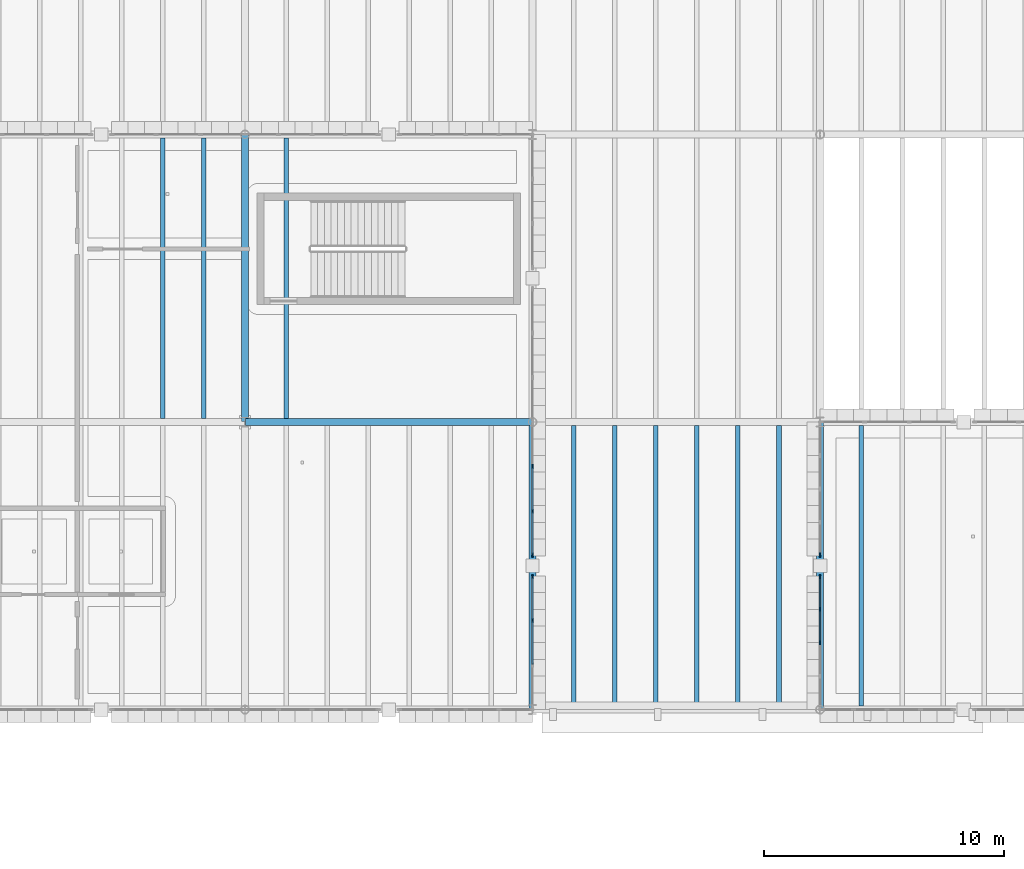
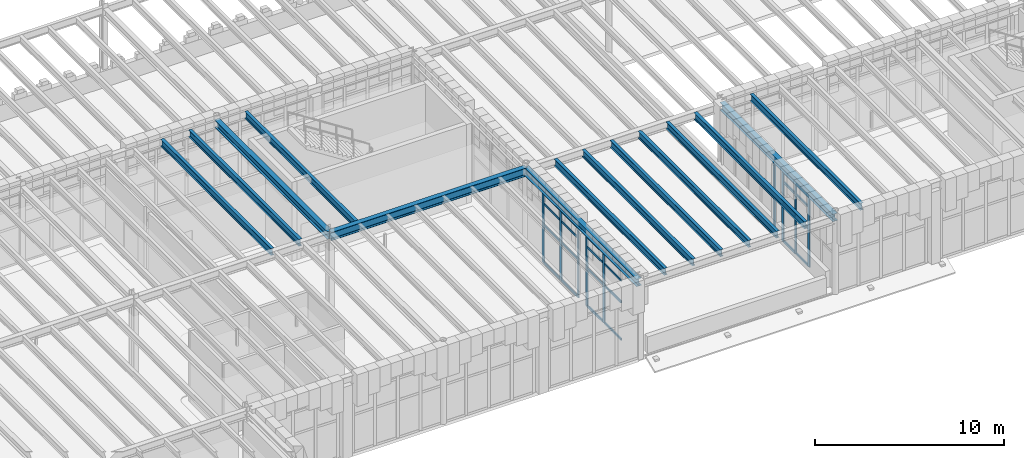
# One storey, part 22 of 100: 33 members, 14 beams, 4 elements without a shape of their own.
"""IFC4 building model written with IfcOpenShell, lengths in metres."""

from ifc_helpers import new_model, si_unit, direction, frame, origin, origin_2d, place, context, subcontext, project, spatial, rectangle, i_section, extrude, material, layer, layer_set, material_profile, profile_set, type_object, element, aggregate, save


model = new_model("IFC4")

# Units and contexts
model_context = context("Model", 3, precision=1e-05, world=origin(), true_north=direction((0.0, 1.0)))
body_context = subcontext(model_context, "Body", "Model", "MODEL_VIEW")
ifc_project = project(units=[si_unit("LENGTHUNIT", "METRE"), si_unit("AREAUNIT", "SQUARE_METRE"), si_unit("VOLUMEUNIT", "CUBIC_METRE"), si_unit("PLANEANGLEUNIT", "RADIAN"), si_unit("MASSUNIT", "GRAM", prefix="KILO")], contexts=[model_context])

# Site, building, storey
site_placement = place(None, origin())
site = spatial("IfcSite", under=ifc_project, at=site_placement, CompositionType="ELEMENT")
building_placement = place(site_placement, origin())
building = spatial("IfcBuilding", under=site, at=building_placement, Name="Zlatogorsky Bluff Art Gallery", CompositionType="ELEMENT")
storey_placement = place(building_placement, frame((0.0, 0.0, 5.39990234375)))
storey = spatial("IfcBuildingStorey", under=building, at=storey_placement, Name="L01", CompositionType="ELEMENT", Elevation=5.39990234375)

# Beams
ifc_material_1 = material(Name="Steel S355", Category="steel")
ifc_material_profile_1 = material_profile(ifc_material_1, i_section(OverallWidth=0.300048828125, OverallDepth=0.5400390625, WebThickness=0.012451171875, FlangeThickness=0.02392578125, FilletRadius=0.027099609375, at=origin_2d()), Name="HEA 550")
ifc_profile_set_1 = profile_set([ifc_material_profile_1], Name="Steel S355")
beam_type_1 = type_object("IfcBeamType", Name="Beam BM-06 HEA 550", PredefinedType="BEAM", material=ifc_profile_set_1)
beam_placement = place(storey_placement, frame((36.014892578125, 96.0, 4.840087890625), z_axis=(1.0, 0.0, 0.0), x_axis=(0.0, 1.0, 0.0)))
element("IfcBeam", 1, at=beam_placement, inside=storey, type_object=beam_type_1, Name="Primary girder BM-06 L01 D-E/10", PredefinedType="BEAM", context=body_context, shape_type="SweptSolid", body=[
    extrude(i_section(OverallWidth=0.300048828125, OverallDepth=0.5400390625, WebThickness=0.012451171875, FlangeThickness=0.02392578125, FilletRadius=0.027099609375, at=origin_2d()), origin(), (0.0, 0.0, 1.0), 11.97021484375),
])
ifc_material_profile_2 = material_profile(ifc_material_1, i_section(OverallWidth=0.300048828125, OverallDepth=0.489990234375, WebThickness=0.011962890625, FlangeThickness=0.02294921875, FilletRadius=0.027099609375, at=origin_2d()), Name="HEA 500")
ifc_profile_set_2 = profile_set([ifc_material_profile_2], Name="Steel S355")
beam_type_2 = type_object("IfcBeamType", Name="Beam BM-07 HEA 500", PredefinedType="BEAM", material=ifc_profile_set_2)
for number, where, z_axis, x_axis, name in (
    (2, (36.0, 96.014892578125, 4.864990234375), (0.0, 1.0, 0.0), (-1.0, 0.0, 0.0), "Primary girder BM-07 L01 D/10-11"),
    (3, (48.0, 84.014892578125, 4.864990234375), (0.0, 1.0, 0.0), (-1.0, 0.0, 0.0), "Primary girder BM-07 L01 E/9-10"),
    (4, (60.0, 84.014892578125, 4.864990234375), (0.0, 1.0, 0.0), (-1.0, 0.0, 0.0), "Primary girder BM-07 L01 F/9-10"),
):
    element("IfcBeam", number, at=place(storey_placement, frame(where, z_axis=z_axis, x_axis=x_axis)), inside=storey, type_object=beam_type_2, Name=name, PredefinedType="BEAM", context=body_context, shape_type="SweptSolid", body=[
        extrude(i_section(OverallWidth=0.300048828125, OverallDepth=0.489990234375, WebThickness=0.011962890625, FlangeThickness=0.02294921875, FilletRadius=0.027099609375, at=origin_2d()), origin(), (0.0, 0.0, 1.0), 11.97021484375),
    ])
ifc_material_profile_3 = material_profile(ifc_material_1, i_section(OverallWidth=0.18994140625, OverallDepth=0.449951171875, WebThickness=0.009521484375, FlangeThickness=0.0146484375, FilletRadius=0.02099609375, at=origin_2d()), Name="IPE 450")
ifc_profile_set_3 = profile_set([ifc_material_profile_3], Name="Steel S355")
beam_type_3 = type_object("IfcBeamType", Name="Beam JS-06 IPE 450", PredefinedType="JOIST", material=ifc_profile_set_3)
for number, where, z_axis, x_axis, name in (
    (5, (32.571533203125, 96.14990234375, 4.885009765625), (0.0, 1.0, 0.0), (-1.0, 0.0, 0.0), "Composite floor joist JS-06 L01 02.09.5"),
    (6, (34.28564453125, 96.14990234375, 4.885009765625), (0.0, 1.0, 0.0), (-1.0, 0.0, 0.0), "Composite floor joist JS-06 L01 02.09.6"),
    (7, (37.71435546875, 96.14990234375, 4.885009765625), (0.0, 1.0, 0.0), (-1.0, 0.0, 0.0), "Composite floor joist JS-06 L01 03.09.1"),
    (8, (49.71435546875, 84.14990234375, 4.885009765625), (0.0, 1.0, 0.0), (-1.0, 0.0, 0.0), "Composite floor joist JS-06 L01 04.08.1"),
    (9, (51.428466796875, 84.14990234375, 4.885009765625), (0.0, 1.0, 0.0), (-1.0, 0.0, 0.0), "Composite floor joist JS-06 L01 04.08.2"),
    (10, (53.142822265625, 84.14990234375, 4.885009765625), (0.0, 1.0, 0.0), (-1.0, 0.0, 0.0), "Composite floor joist JS-06 L01 04.08.3"),
    (11, (54.857177734375, 84.14990234375, 4.885009765625), (0.0, 1.0, 0.0), (-1.0, 0.0, 0.0), "Composite floor joist JS-06 L01 04.08.4"),
    (12, (56.571533203125, 84.14990234375, 4.885009765625), (0.0, 1.0, 0.0), (-1.0, 0.0, 0.0), "Composite floor joist JS-06 L01 04.08.5"),
    (13, (58.28564453125, 84.14990234375, 4.885009765625), (0.0, 1.0, 0.0), (-1.0, 0.0, 0.0), "Composite floor joist JS-06 L01 04.08.6"),
    (14, (61.71435546875, 84.14990234375, 4.885009765625), (0.0, 1.0, 0.0), (-1.0, 0.0, 0.0), "Composite floor joist JS-06 L01 05.08.1"),
):
    element("IfcBeam", number, at=place(storey_placement, frame(where, z_axis=z_axis, x_axis=x_axis)), inside=storey, type_object=beam_type_3, Name=name, PredefinedType="JOIST", context=body_context, shape_type="SweptSolid", body=[
        extrude(i_section(OverallWidth=0.18994140625, OverallDepth=0.449951171875, WebThickness=0.009521484375, FlangeThickness=0.0146484375, FilletRadius=0.02099609375, at=origin_2d()), origin(), (0.0, 0.0, 1.0), 11.7001953125),
    ])

# Curtain wall, members
ifc_material_2 = material(Name="Anodised Bronze Aluminium and Low-Iron Triple Glazing", Category="aluminium")
ifc_layer_1 = layer(ifc_material_2, 0.219970703125)
ifc_layer_set_1 = layer_set([ifc_layer_1], Name="Curtain Wall CW-04")
curtain_wall_type_1 = type_object("IfcCurtainWallType", Name="Curtain Wall CW-04", PredefinedType="USERDEFINED", material=ifc_layer_set_1)
curtain_wall_1_placement = place(storey_placement, origin())
curtain_wall_1 = element("IfcCurtainWall", 15, at=curtain_wall_1_placement, inside=storey, type_object=curtain_wall_type_1, Name="Unitised curtain wall CW-04 L01 E 3.8-A", ObjectType="CURTAIN WALL", PredefinedType="USERDEFINED")
ifc_material_3 = material(Name="Anodised Bronze Aluminium", Category="aluminium")
ifc_material_profile_4 = material_profile(ifc_material_3, rectangle(XDim=0.06494140625, YDim=0.179931640625, at=origin_2d()), Name="ALU MULLION 65x180")
ifc_profile_set_4 = profile_set([ifc_material_profile_4], Name="Anodised Bronze Aluminium")
member_type_1 = type_object("IfcMemberType", Name="Curtain Mullion ML-01", PredefinedType="MULLION", material=ifc_profile_set_4)
member_1_placement = place(storey_placement, frame((48.0, 87.719970703125, 0.0), z_axis=(0.0, 0.0, 1.0), x_axis=(-1.0, 0.0, 0.0)))
member_1 = element("IfcMember", 16, at=member_1_placement, type_object=member_type_1, Name="CW-04 mullion 3", PredefinedType="MULLION", context=body_context, shape_type="SweptSolid", body=[
    extrude(rectangle(XDim=0.06494140625, YDim=0.179931640625, at=origin_2d()), origin(), (0.0, 0.0, 1.0), 4.530029296875),
])
member_2_placement = place(storey_placement, frame((48.0, 89.547607421875, 0.0), z_axis=(0.0, 0.0, 1.0), x_axis=(-1.0, 0.0, 0.0)))
member_2 = element("IfcMember", 17, at=member_2_placement, type_object=member_type_1, Name="CW-04 mullion 4", PredefinedType="MULLION", context=body_context, shape_type="SweptSolid", body=[
    extrude(rectangle(XDim=0.06494140625, YDim=0.179931640625, at=origin_2d()), origin(), (0.0, 0.0, 1.0), 4.530029296875),
])

curtain_wall_2_placement = place(storey_placement, origin())
curtain_wall_2 = element("IfcCurtainWall", 18, at=curtain_wall_2_placement, inside=storey, type_object=curtain_wall_type_1, Name="Unitised curtain wall CW-04 L01 E 3.8-B", ObjectType="CURTAIN WALL", PredefinedType="USERDEFINED")
member_3_placement = place(storey_placement, frame((48.0, 90.452392578125, 0.0), z_axis=(0.0, 0.0, 1.0), x_axis=(-1.0, 0.0, 0.0)))
member_3 = element("IfcMember", 19, at=member_3_placement, type_object=member_type_1, Name="CW-04 mullion 1", PredefinedType="MULLION", context=body_context, shape_type="SweptSolid", body=[
    extrude(rectangle(XDim=0.06494140625, YDim=0.179931640625, at=origin_2d()), origin(), (0.0, 0.0, 1.0), 4.530029296875),
])
member_4_placement = place(storey_placement, frame((48.0, 92.280029296875, 0.0), z_axis=(0.0, 0.0, 1.0), x_axis=(-1.0, 0.0, 0.0)))
member_4 = element("IfcMember", 20, at=member_4_placement, type_object=member_type_1, Name="CW-04 mullion 2", PredefinedType="MULLION", context=body_context, shape_type="SweptSolid", body=[
    extrude(rectangle(XDim=0.06494140625, YDim=0.179931640625, at=origin_2d()), origin(), (0.0, 0.0, 1.0), 4.530029296875),
])
member_5_placement = place(storey_placement, frame((48.0, 94.139892578125, 0.0), z_axis=(0.0, 0.0, 1.0), x_axis=(-1.0, 0.0, 0.0)))
member_5 = element("IfcMember", 21, at=member_5_placement, type_object=member_type_1, Name="CW-04 mullion 3", PredefinedType="MULLION", context=body_context, shape_type="SweptSolid", body=[
    extrude(rectangle(XDim=0.06494140625, YDim=0.179931640625, at=origin_2d()), origin(), (0.0, 0.0, 1.0), 4.530029296875),
])

# Curtain wall, member
ifc_layer_2 = layer(ifc_material_2, 0.199951171875)
ifc_layer_set_2 = layer_set([ifc_layer_2], Name="Curtain Wall CW-02")
curtain_wall_type_2 = type_object("IfcCurtainWallType", Name="Curtain Wall CW-02", PredefinedType="USERDEFINED", material=ifc_layer_set_2)
curtain_wall_3_placement = place(storey_placement, origin())
curtain_wall_3 = element("IfcCurtainWall", 22, at=curtain_wall_3_placement, inside=storey, type_object=curtain_wall_type_2, Name="Unitised curtain wall CW-02 L01 W 5.8-A", ObjectType="CURTAIN WALL", PredefinedType="USERDEFINED")
member_6_placement = place(storey_placement, frame((60.0, 90.452392578125, 0.0), z_axis=(0.0, 0.0, 1.0), x_axis=(1.0, 0.0, 0.0)))
member_6 = element("IfcMember", 23, at=member_6_placement, type_object=member_type_1, Name="CW-02 mullion 5", PredefinedType="MULLION", context=body_context, shape_type="SweptSolid", body=[
    extrude(rectangle(XDim=0.06494140625, YDim=0.179931640625, at=origin_2d()), origin(), (0.0, 0.0, 1.0), 4.530029296875),
])
aggregate(curtain_wall_3, [member_6])

# Curtain wall, members
curtain_wall_4_placement = place(storey_placement, origin())
curtain_wall_4 = element("IfcCurtainWall", 24, at=curtain_wall_4_placement, inside=storey, type_object=curtain_wall_type_2, Name="Unitised curtain wall CW-02 L01 W 5.8-B", ObjectType="CURTAIN WALL", PredefinedType="USERDEFINED")
member_7_placement = place(storey_placement, frame((60.0, 89.547607421875, 0.0), z_axis=(0.0, 0.0, 1.0), x_axis=(1.0, 0.0, 0.0)))
member_7 = element("IfcMember", 25, at=member_7_placement, type_object=member_type_1, Name="CW-02 mullion 1", PredefinedType="MULLION", context=body_context, shape_type="SweptSolid", body=[
    extrude(rectangle(XDim=0.06494140625, YDim=0.179931640625, at=origin_2d()), origin(), (0.0, 0.0, 1.0), 4.530029296875),
])
member_8_placement = place(storey_placement, frame((60.0, 88.18505859375, 0.0), z_axis=(0.0, 0.0, 1.0), x_axis=(1.0, 0.0, 0.0)))
member_8 = element("IfcMember", 26, at=member_8_placement, type_object=member_type_1, Name="CW-02 mullion 2", PredefinedType="MULLION", context=body_context, shape_type="SweptSolid", body=[
    extrude(rectangle(XDim=0.06494140625, YDim=0.179931640625, at=origin_2d()), origin(), (0.0, 0.0, 1.0), 4.530029296875),
])
member_9_placement = place(storey_placement, frame((60.0, 86.7900390625, 0.0), z_axis=(0.0, 0.0, 1.0), x_axis=(1.0, 0.0, 0.0)))
member_9 = element("IfcMember", 27, at=member_9_placement, type_object=member_type_1, Name="CW-02 mullion 3", PredefinedType="MULLION", context=body_context, shape_type="SweptSolid", body=[
    extrude(rectangle(XDim=0.06494140625, YDim=0.179931640625, at=origin_2d()), origin(), (0.0, 0.0, 1.0), 4.530029296875),
])

# Member
ifc_material_profile_5 = material_profile(ifc_material_3, rectangle(XDim=0.06494140625, YDim=0.139892578125, at=origin_2d()), Name="ALU TRANSOM 65x140")
ifc_profile_set_5 = profile_set([ifc_material_profile_5], Name="Anodised Bronze Aluminium")
member_type_2 = type_object("IfcMemberType", Name="Curtain Transom TR-01", PredefinedType="USERDEFINED", material=ifc_profile_set_5)
member_10_placement = place(storey_placement, frame((48.0, 85.892578125, 0.03271484375), z_axis=(0.0, 1.0, 0.0), x_axis=(-1.0, 0.0, 0.0)))
member_10 = element("IfcMember", 28, at=member_10_placement, type_object=member_type_2, Name="CW-04 transom 2.1", ObjectType="TRANSOM", PredefinedType="USERDEFINED", context=body_context, shape_type="SweptSolid", body=[
    extrude(rectangle(XDim=0.06494140625, YDim=0.139892578125, at=origin_2d()), origin(), (0.0, 0.0, 1.0), 1.794921875),
])

member_11_placement = place(storey_placement, frame((48.0, 85.892578125, 2.4501953125), z_axis=(0.0, 1.0, 0.0), x_axis=(-1.0, 0.0, 0.0)))
member_11 = element("IfcMember", 29, at=member_11_placement, type_object=member_type_2, Name="CW-04 transom 2.2", ObjectType="TRANSOM", PredefinedType="USERDEFINED", context=body_context, shape_type="SweptSolid", body=[
    extrude(rectangle(XDim=0.06494140625, YDim=0.139892578125, at=origin_2d()), origin(), (0.0, 0.0, 1.0), 1.794921875),
])

member_12_placement = place(storey_placement, frame((48.0, 85.892578125, 3.85009765625), z_axis=(0.0, 1.0, 0.0), x_axis=(-1.0, 0.0, 0.0)))
member_12 = element("IfcMember", 30, at=member_12_placement, type_object=member_type_2, Name="CW-04 transom 2.3", ObjectType="TRANSOM", PredefinedType="USERDEFINED", context=body_context, shape_type="SweptSolid", body=[
    extrude(rectangle(XDim=0.06494140625, YDim=0.139892578125, at=origin_2d()), origin(), (0.0, 0.0, 1.0), 1.794921875),
])

member_13_placement = place(storey_placement, frame((48.0, 85.892578125, 4.49755859375), z_axis=(0.0, 1.0, 0.0), x_axis=(-1.0, 0.0, 0.0)))
member_13 = element("IfcMember", 31, at=member_13_placement, type_object=member_type_2, Name="CW-04 transom 2.4", ObjectType="TRANSOM", PredefinedType="USERDEFINED", context=body_context, shape_type="SweptSolid", body=[
    extrude(rectangle(XDim=0.06494140625, YDim=0.139892578125, at=origin_2d()), origin(), (0.0, 0.0, 1.0), 1.794921875),
])

member_14_placement = place(storey_placement, frame((48.0, 87.75244140625, 0.03271484375), z_axis=(0.0, 1.0, 0.0), x_axis=(-1.0, 0.0, 0.0)))
member_14 = element("IfcMember", 32, at=member_14_placement, type_object=member_type_2, Name="CW-04 transom 3.1", ObjectType="TRANSOM", PredefinedType="USERDEFINED", context=body_context, shape_type="SweptSolid", body=[
    extrude(rectangle(XDim=0.06494140625, YDim=0.139892578125, at=origin_2d()), origin(), (0.0, 0.0, 1.0), 1.762451171875),
])

member_15_placement = place(storey_placement, frame((48.0, 87.75244140625, 2.4501953125), z_axis=(0.0, 1.0, 0.0), x_axis=(-1.0, 0.0, 0.0)))
member_15 = element("IfcMember", 33, at=member_15_placement, type_object=member_type_2, Name="CW-04 transom 3.2", ObjectType="TRANSOM", PredefinedType="USERDEFINED", context=body_context, shape_type="SweptSolid", body=[
    extrude(rectangle(XDim=0.06494140625, YDim=0.139892578125, at=origin_2d()), origin(), (0.0, 0.0, 1.0), 1.762451171875),
])

member_16_placement = place(storey_placement, frame((48.0, 87.75244140625, 3.85009765625), z_axis=(0.0, 1.0, 0.0), x_axis=(-1.0, 0.0, 0.0)))
member_16 = element("IfcMember", 34, at=member_16_placement, type_object=member_type_2, Name="CW-04 transom 3.3", ObjectType="TRANSOM", PredefinedType="USERDEFINED", context=body_context, shape_type="SweptSolid", body=[
    extrude(rectangle(XDim=0.06494140625, YDim=0.139892578125, at=origin_2d()), origin(), (0.0, 0.0, 1.0), 1.762451171875),
])

member_17_placement = place(storey_placement, frame((48.0, 87.75244140625, 4.49755859375), z_axis=(0.0, 1.0, 0.0), x_axis=(-1.0, 0.0, 0.0)))
member_17 = element("IfcMember", 35, at=member_17_placement, type_object=member_type_2, Name="CW-04 transom 3.4", ObjectType="TRANSOM", PredefinedType="USERDEFINED", context=body_context, shape_type="SweptSolid", body=[
    extrude(rectangle(XDim=0.06494140625, YDim=0.139892578125, at=origin_2d()), origin(), (0.0, 0.0, 1.0), 1.762451171875),
])

aggregate(curtain_wall_1, [member_1, member_2, member_10, member_11, member_12, member_13, member_14, member_15, member_16, member_17])

member_18_placement = place(storey_placement, frame((48.0, 90.485107421875, 0.03271484375), z_axis=(0.0, 1.0, 0.0), x_axis=(-1.0, 0.0, 0.0)))
member_18 = element("IfcMember", 36, at=member_18_placement, type_object=member_type_2, Name="CW-04 transom 1.1", ObjectType="TRANSOM", PredefinedType="USERDEFINED", context=body_context, shape_type="SweptSolid", body=[
    extrude(rectangle(XDim=0.06494140625, YDim=0.139892578125, at=origin_2d()), origin(), (0.0, 0.0, 1.0), 1.762451171875),
])

member_19_placement = place(storey_placement, frame((48.0, 90.485107421875, 2.4501953125), z_axis=(0.0, 1.0, 0.0), x_axis=(-1.0, 0.0, 0.0)))
member_19 = element("IfcMember", 37, at=member_19_placement, type_object=member_type_2, Name="CW-04 transom 1.2", ObjectType="TRANSOM", PredefinedType="USERDEFINED", context=body_context, shape_type="SweptSolid", body=[
    extrude(rectangle(XDim=0.06494140625, YDim=0.139892578125, at=origin_2d()), origin(), (0.0, 0.0, 1.0), 1.762451171875),
])

member_20_placement = place(storey_placement, frame((48.0, 90.485107421875, 3.85009765625), z_axis=(0.0, 1.0, 0.0), x_axis=(-1.0, 0.0, 0.0)))
member_20 = element("IfcMember", 38, at=member_20_placement, type_object=member_type_2, Name="CW-04 transom 1.3", ObjectType="TRANSOM", PredefinedType="USERDEFINED", context=body_context, shape_type="SweptSolid", body=[
    extrude(rectangle(XDim=0.06494140625, YDim=0.139892578125, at=origin_2d()), origin(), (0.0, 0.0, 1.0), 1.762451171875),
])

member_21_placement = place(storey_placement, frame((48.0, 90.485107421875, 4.49755859375), z_axis=(0.0, 1.0, 0.0), x_axis=(-1.0, 0.0, 0.0)))
member_21 = element("IfcMember", 39, at=member_21_placement, type_object=member_type_2, Name="CW-04 transom 1.4", ObjectType="TRANSOM", PredefinedType="USERDEFINED", context=body_context, shape_type="SweptSolid", body=[
    extrude(rectangle(XDim=0.06494140625, YDim=0.139892578125, at=origin_2d()), origin(), (0.0, 0.0, 1.0), 1.762451171875),
])

member_22_placement = place(storey_placement, frame((48.0, 92.3125, 0.03271484375), z_axis=(0.0, 1.0, 0.0), x_axis=(-1.0, 0.0, 0.0)))
member_22 = element("IfcMember", 40, at=member_22_placement, type_object=member_type_2, Name="CW-04 transom 2.1", ObjectType="TRANSOM", PredefinedType="USERDEFINED", context=body_context, shape_type="SweptSolid", body=[
    extrude(rectangle(XDim=0.06494140625, YDim=0.139892578125, at=origin_2d()), origin(), (0.0, 0.0, 1.0), 1.794921875),
])

member_23_placement = place(storey_placement, frame((48.0, 92.3125, 2.4501953125), z_axis=(0.0, 1.0, 0.0), x_axis=(-1.0, 0.0, 0.0)))
member_23 = element("IfcMember", 41, at=member_23_placement, type_object=member_type_2, Name="CW-04 transom 2.2", ObjectType="TRANSOM", PredefinedType="USERDEFINED", context=body_context, shape_type="SweptSolid", body=[
    extrude(rectangle(XDim=0.06494140625, YDim=0.139892578125, at=origin_2d()), origin(), (0.0, 0.0, 1.0), 1.794921875),
])

member_24_placement = place(storey_placement, frame((48.0, 92.3125, 3.85009765625), z_axis=(0.0, 1.0, 0.0), x_axis=(-1.0, 0.0, 0.0)))
member_24 = element("IfcMember", 42, at=member_24_placement, type_object=member_type_2, Name="CW-04 transom 2.3", ObjectType="TRANSOM", PredefinedType="USERDEFINED", context=body_context, shape_type="SweptSolid", body=[
    extrude(rectangle(XDim=0.06494140625, YDim=0.139892578125, at=origin_2d()), origin(), (0.0, 0.0, 1.0), 1.794921875),
])

member_25_placement = place(storey_placement, frame((48.0, 92.3125, 4.49755859375), z_axis=(0.0, 1.0, 0.0), x_axis=(-1.0, 0.0, 0.0)))
member_25 = element("IfcMember", 43, at=member_25_placement, type_object=member_type_2, Name="CW-04 transom 2.4", ObjectType="TRANSOM", PredefinedType="USERDEFINED", context=body_context, shape_type="SweptSolid", body=[
    extrude(rectangle(XDim=0.06494140625, YDim=0.139892578125, at=origin_2d()), origin(), (0.0, 0.0, 1.0), 1.794921875),
])

aggregate(curtain_wall_2, [member_3, member_4, member_5, member_18, member_19, member_20, member_21, member_22, member_23, member_24, member_25])

member_26_placement = place(storey_placement, frame((60.0, 89.514892578125, 0.03271484375), z_axis=(0.0, -1.0, 0.0), x_axis=(1.0, 0.0, 0.0)))
member_26 = element("IfcMember", 44, at=member_26_placement, type_object=member_type_2, Name="CW-02 transom 1.1", ObjectType="TRANSOM", PredefinedType="USERDEFINED", context=body_context, shape_type="SweptSolid", body=[
    extrude(rectangle(XDim=0.06494140625, YDim=0.139892578125, at=origin_2d()), origin(), (0.0, 0.0, 1.0), 1.29736328125),
])

member_27_placement = place(storey_placement, frame((60.0, 89.514892578125, 2.4501953125), z_axis=(0.0, -1.0, 0.0), x_axis=(1.0, 0.0, 0.0)))
member_27 = element("IfcMember", 45, at=member_27_placement, type_object=member_type_2, Name="CW-02 transom 1.2", ObjectType="TRANSOM", PredefinedType="USERDEFINED", context=body_context, shape_type="SweptSolid", body=[
    extrude(rectangle(XDim=0.06494140625, YDim=0.139892578125, at=origin_2d()), origin(), (0.0, 0.0, 1.0), 1.29736328125),
])

member_28_placement = place(storey_placement, frame((60.0, 89.514892578125, 3.85009765625), z_axis=(0.0, -1.0, 0.0), x_axis=(1.0, 0.0, 0.0)))
member_28 = element("IfcMember", 46, at=member_28_placement, type_object=member_type_2, Name="CW-02 transom 1.3", ObjectType="TRANSOM", PredefinedType="USERDEFINED", context=body_context, shape_type="SweptSolid", body=[
    extrude(rectangle(XDim=0.06494140625, YDim=0.139892578125, at=origin_2d()), origin(), (0.0, 0.0, 1.0), 1.29736328125),
])

member_29_placement = place(storey_placement, frame((60.0, 89.514892578125, 4.49755859375), z_axis=(0.0, -1.0, 0.0), x_axis=(1.0, 0.0, 0.0)))
member_29 = element("IfcMember", 47, at=member_29_placement, type_object=member_type_2, Name="CW-02 transom 1.4", ObjectType="TRANSOM", PredefinedType="USERDEFINED", context=body_context, shape_type="SweptSolid", body=[
    extrude(rectangle(XDim=0.06494140625, YDim=0.139892578125, at=origin_2d()), origin(), (0.0, 0.0, 1.0), 1.29736328125),
])

member_30_placement = place(storey_placement, frame((60.0, 88.152587890625, 0.03271484375), z_axis=(0.0, -1.0, 0.0), x_axis=(1.0, 0.0, 0.0)))
member_30 = element("IfcMember", 48, at=member_30_placement, type_object=member_type_2, Name="CW-02 transom 2.1", ObjectType="TRANSOM", PredefinedType="USERDEFINED", context=body_context, shape_type="SweptSolid", body=[
    extrude(rectangle(XDim=0.06494140625, YDim=0.139892578125, at=origin_2d()), origin(), (0.0, 0.0, 1.0), 1.330078125),
])

member_31_placement = place(storey_placement, frame((60.0, 88.152587890625, 2.4501953125), z_axis=(0.0, -1.0, 0.0), x_axis=(1.0, 0.0, 0.0)))
member_31 = element("IfcMember", 49, at=member_31_placement, type_object=member_type_2, Name="CW-02 transom 2.2", ObjectType="TRANSOM", PredefinedType="USERDEFINED", context=body_context, shape_type="SweptSolid", body=[
    extrude(rectangle(XDim=0.06494140625, YDim=0.139892578125, at=origin_2d()), origin(), (0.0, 0.0, 1.0), 1.330078125),
])

member_32_placement = place(storey_placement, frame((60.0, 88.152587890625, 3.85009765625), z_axis=(0.0, -1.0, 0.0), x_axis=(1.0, 0.0, 0.0)))
member_32 = element("IfcMember", 50, at=member_32_placement, type_object=member_type_2, Name="CW-02 transom 2.3", ObjectType="TRANSOM", PredefinedType="USERDEFINED", context=body_context, shape_type="SweptSolid", body=[
    extrude(rectangle(XDim=0.06494140625, YDim=0.139892578125, at=origin_2d()), origin(), (0.0, 0.0, 1.0), 1.330078125),
])

member_33_placement = place(storey_placement, frame((60.0, 88.152587890625, 4.49755859375), z_axis=(0.0, -1.0, 0.0), x_axis=(1.0, 0.0, 0.0)))
member_33 = element("IfcMember", 51, at=member_33_placement, type_object=member_type_2, Name="CW-02 transom 2.4", ObjectType="TRANSOM", PredefinedType="USERDEFINED", context=body_context, shape_type="SweptSolid", body=[
    extrude(rectangle(XDim=0.06494140625, YDim=0.139892578125, at=origin_2d()), origin(), (0.0, 0.0, 1.0), 1.330078125),
])

aggregate(curtain_wall_4, [member_7, member_8, member_9, member_26, member_27, member_28, member_29, member_30, member_31, member_32, member_33])

save(model, "model.ifc")
